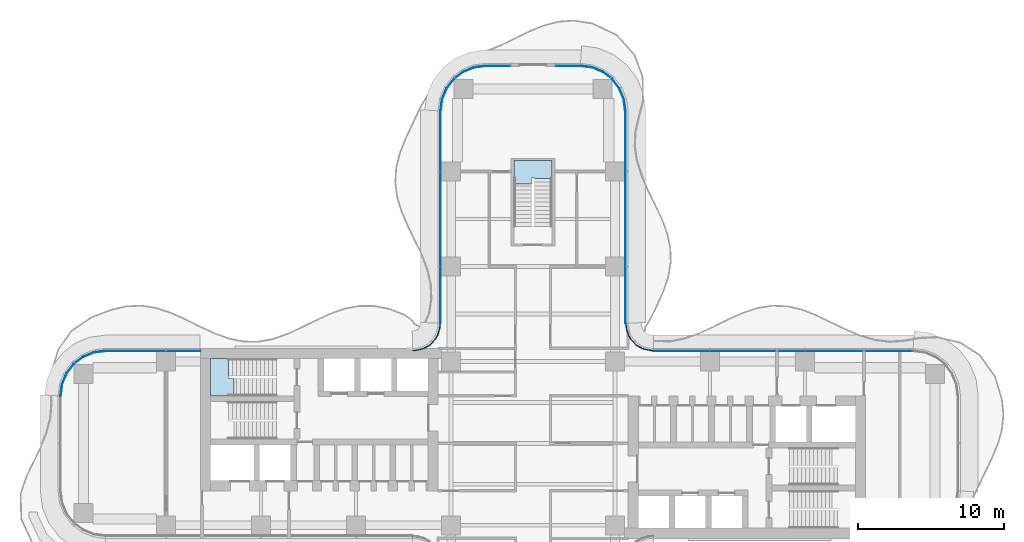
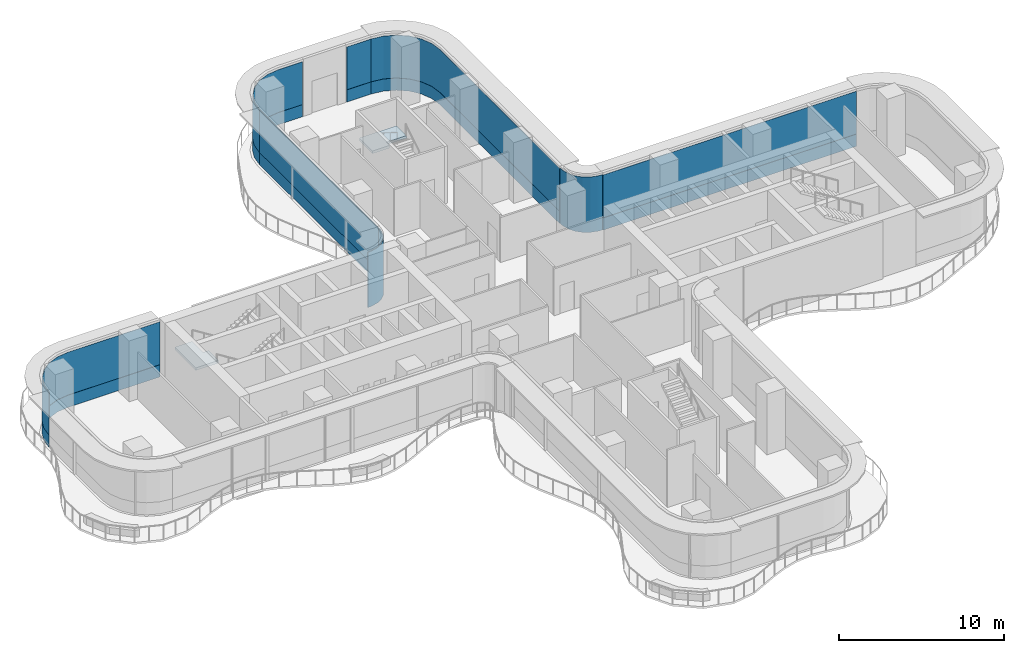
# One storey, part 16 of 23: 14 plates, 2 slabs, 10 elements without a shape of their own.
"""IFC4 building model written with IfcOpenShell, lengths in metres."""

from ifc_helpers import new_model, si_unit, direction, frame, origin, place, context, subcontext, project, spatial, polyline, outline, extrude, source, transform, mapped, material, layer, layer_set, type_object, element, aggregate, save


model = new_model("IFC4")

# Units and contexts
model_context = context("Model", 3, precision=1e-05, world=origin(), true_north=direction((0.0, 1.0)))
body_context = subcontext(model_context, "Body", "Model", "MODEL_VIEW")
ifc_project = project(units=[si_unit("LENGTHUNIT", "METRE"), si_unit("AREAUNIT", "SQUARE_METRE"), si_unit("VOLUMEUNIT", "CUBIC_METRE"), si_unit("PLANEANGLEUNIT", "RADIAN"), si_unit("MASSUNIT", "GRAM", prefix="KILO")], contexts=[model_context])

# Site, building, storey
site_placement = place(None, origin())
site = spatial("IfcSite", under=ifc_project, at=site_placement, CompositionType="ELEMENT")
building_placement = place(site_placement, origin())
building = spatial("IfcBuilding", under=site, at=building_placement, Name="Trellis Farm Tower", CompositionType="ELEMENT")
storey_placement = place(building_placement, frame((0.0, 0.0, 111.0)))
storey = spatial("IfcBuildingStorey", under=building, at=storey_placement, Name="L23", CompositionType="ELEMENT", Elevation=111.0)

# Stair, slab
ifc_material_1 = material(Name="Concrete C50/60", Category="concrete")
stair_type = type_object("IfcStairType", Name="CORE EXIT STAIR 26 RISERS 173 MM", PredefinedType="HALF_TURN_STAIR", material=ifc_material_1)
placement_1 = place(storey_placement, origin())
stair_1 = element("IfcStair", 1, at=placement_1, inside=storey, type_object=stair_type, Name="Exit stair N", PredefinedType="HALF_TURN_STAIR")
ifc_layer_1 = layer(ifc_material_1, 0.18994140625)
ifc_layer_set_1 = layer_set([ifc_layer_1], Name="CORE STAIR LANDING 190 CONCRETE C50/60")
slab_type = type_object("IfcSlabType", Name="CORE STAIR LANDING 190 CONCRETE C50/60", PredefinedType="LANDING", material=ifc_layer_set_1)
shared_shape_1 = source(origin(), body_context, "Body", "SweptSolid", [
    extrude(outline(polyline([(-0.10009765625, 17.753173828125), (-1.300048828125, 17.753173828125), (-1.300048828125, 18.14990234375), (-1.300048828125, 19.35009765625), (1.300048828125, 19.35009765625), (1.300048828125, 18.14990234375), (1.300048828125, 18.139892578125), (0.10009765625, 18.139892578125), (0.10009765625, 18.14990234375), (-0.10009765625, 18.14990234375), (-0.10009765625, 17.753173828125)])), origin(), (0.0, 0.0, 1.0), 0.18994140625),
])
placement_2 = place(storey_placement, frame((0.0, 0.0, 2.06005859375)))
slab_1 = element("IfcSlab", 2, at=placement_2, type_object=slab_type, Name="STN landing 1", PredefinedType="LANDING", context=body_context, shape_type="MappedRepresentation", body=[
    mapped(shared_shape_1, transform((0.0, 0.0, 0.0))),
])
aggregate(stair_1, [slab_1])

stair_2 = element("IfcStair", 3, at=placement_1, inside=storey, type_object=stair_type, Name="Exit stair W1", PredefinedType="HALF_TURN_STAIR")
shared_shape_2 = source(origin(), body_context, "Body", "SweptSolid", [
    extrude(outline(polyline([(-20.453125, 4.449951171875), (-20.453125, 3.25), (-20.85009765625, 3.25), (-22.050048828125, 3.25), (-22.050048828125, 5.800048828125), (-20.85009765625, 5.800048828125), (-20.840087890625, 5.800048828125), (-20.840087890625, 4.60009765625), (-20.85009765625, 4.60009765625), (-20.85009765625, 4.449951171875), (-20.453125, 4.449951171875)])), origin(), (0.0, 0.0, 1.0), 0.18994140625),
])
slab_2 = element("IfcSlab", 4, at=placement_2, type_object=slab_type, Name="STW1 landing 1", PredefinedType="LANDING", context=body_context, shape_type="MappedRepresentation", body=[
    mapped(shared_shape_2, transform((0.0, 0.0, 0.0))),
])
aggregate(stair_2, [slab_2])

# Curtain wall, plate
ifc_material_2 = material(Name="Aluminium and glass curtain wall", Category="aluminium")
ifc_layer_2 = layer(ifc_material_2, 0.166015625)
ifc_layer_set_2 = layer_set([ifc_layer_2], Name="WINTER GARDEN CURTAIN WALL CW3")
curtain_wall_type_1 = type_object("IfcCurtainWallType", Name="WINTER GARDEN CURTAIN WALL CW3", PredefinedType="NOTDEFINED", material=ifc_layer_set_2)
curtain_wall_1 = element("IfcCurtainWall", 5, at=placement_1, inside=storey, type_object=curtain_wall_type_1, Name="CW3 003", PredefinedType="NOTDEFINED")
ifc_material_3 = material(Name="Clear insulated glass", Category="glass")
ifc_layer_3 = layer(ifc_material_3, 0.0458984375)
ifc_layer_set_3 = layer_set([ifc_layer_3], Name="CW3 GLASS PANEL 46")
plate_type_1 = type_object("IfcPlateType", Name="CW3 GLASS PANEL 46", PredefinedType="CURTAIN_PANEL", material=ifc_layer_set_3)
shared_shape_3 = source(origin(), body_context, "Body", "SweptSolid", [
    extrude(outline(polyline([(8.2275390625, 6.3798828125), (8.0078125, 6.394287109375), (7.89208984375, 6.40966796875), (7.462158203125, 6.52490234375), (7.070556640625, 6.7509765625), (6.7509765625, 7.070556640625), (6.52490234375, 7.462158203125), (6.40966796875, 7.89208984375), (6.394287109375, 8.0078125), (6.3798828125, 8.2275390625), (6.333984375, 8.22607421875), (6.3486328125, 8.003173828125), (6.364501953125, 7.883056640625), (6.48193359375, 7.4443359375), (6.714111328125, 7.04248046875), (7.04248046875, 6.714111328125), (7.4443359375, 6.48193359375), (7.883056640625, 6.364501953125), (8.003173828125, 6.3486328125), (8.22607421875, 6.333984375), (8.2275390625, 6.3798828125)])), origin(), (0.0, 0.0, 1.0), 4.10009765625),
])
plate_1 = element("IfcPlate", 6, at=placement_1, type_object=plate_type_1, Name="PL3 003", PredefinedType="CURTAIN_PANEL", context=body_context, shape_type="MappedRepresentation", body=[
    mapped(shared_shape_3, transform((0.0, 0.0, 0.0))),
])
aggregate(curtain_wall_1, [plate_1])

curtain_wall_2 = element("IfcCurtainWall", 7, at=placement_1, inside=storey, type_object=curtain_wall_type_1, Name="CW3 004", PredefinedType="NOTDEFINED")
shared_shape_4 = source(origin(), body_context, "Body", "SweptSolid", [
    extrude(outline(polyline([(-6.3798828125, 8.2275390625), (-6.394287109375, 8.0078125), (-6.40966796875, 7.89208984375), (-6.52490234375, 7.462158203125), (-6.7509765625, 7.070556640625), (-7.070556640625, 6.7509765625), (-7.462158203125, 6.52490234375), (-7.89208984375, 6.40966796875), (-8.0078125, 6.394287109375), (-8.2275390625, 6.3798828125), (-8.22607421875, 6.333984375), (-8.003173828125, 6.3486328125), (-7.883056640625, 6.364501953125), (-7.4443359375, 6.48193359375), (-7.04248046875, 6.714111328125), (-6.714111328125, 7.04248046875), (-6.48193359375, 7.4443359375), (-6.364501953125, 7.883056640625), (-6.3486328125, 8.003173828125), (-6.333984375, 8.22607421875), (-6.3798828125, 8.2275390625)])), origin(), (0.0, 0.0, 1.0), 4.10009765625),
])
plate_2 = element("IfcPlate", 8, at=placement_1, type_object=plate_type_1, Name="PL3 004", PredefinedType="CURTAIN_PANEL", context=body_context, shape_type="MappedRepresentation", body=[
    mapped(shared_shape_4, transform((0.0, 0.0, 0.0))),
])
aggregate(curtain_wall_2, [plate_2])

# Curtain wall, plates
ifc_layer_4 = layer(ifc_material_2, 0.18994140625)
ifc_layer_set_4 = layer_set([ifc_layer_4], Name="RIBBON CURTAIN WALL CW1")
curtain_wall_type_2 = type_object("IfcCurtainWallType", Name="RIBBON CURTAIN WALL CW1", PredefinedType="NOTDEFINED", material=ifc_layer_set_4)
curtain_wall_3 = element("IfcCurtainWall", 9, at=placement_1, inside=storey, type_object=curtain_wall_type_2, Name="CW1 013", PredefinedType="NOTDEFINED")
ifc_layer_5 = layer(ifc_material_3, 0.0400390625)
ifc_layer_set_5 = layer_set([ifc_layer_5], Name="CW1 GLASS PANEL 40")
plate_type_2 = type_object("IfcPlateType", Name="CW1 GLASS PANEL 40", PredefinedType="CURTAIN_PANEL", material=ifc_layer_set_5)
shared_shape_5 = source(origin(), body_context, "Body", "SweptSolid", [
    extrude(outline(polyline([(-22.780029296875, 6.35009765625), (-29.240234375, 6.35009765625), (-30.052001953125, 6.2431640625), (-30.79931640625, 5.93359375), (-31.441162109375, 5.441162109375), (-31.93359375, 4.79931640625), (-32.2431640625, 4.052001953125), (-32.35009765625, 3.240234375), (-32.31005859375, 3.237548828125), (-32.2041015625, 4.04150390625), (-31.898681640625, 4.779296875), (-31.41259765625, 5.41259765625), (-30.779296875, 5.898681640625), (-30.04150390625, 6.2041015625), (-29.237548828125, 6.31005859375), (-22.780029296875, 6.31005859375), (-22.780029296875, 6.35009765625)])), origin(), (0.0, 0.0, 1.0), 3.170166015625),
])
placement_3 = place(storey_placement, frame((0.0, 0.0, 0.89990234375)))
plate_3 = element("IfcPlate", 10, at=placement_3, type_object=plate_type_2, Name="PL1 013", PredefinedType="CURTAIN_PANEL", context=body_context, shape_type="MappedRepresentation", body=[
    mapped(shared_shape_5, transform((0.0, 0.0, 0.0))),
])
ifc_material_4 = material(Name="Sandstone faced insulated panel", Category="masonry")
ifc_layer_6 = layer(ifc_material_4, 0.050048828125)
ifc_layer_set_6 = layer_set([ifc_layer_6], Name="CW1 STONE SPANDREL PANEL 50")
plate_type_3 = type_object("IfcPlateType", Name="CW1 STONE SPANDREL PANEL 50", PredefinedType="CURTAIN_PANEL", material=ifc_layer_set_6)
shared_shape_6 = source(origin(), body_context, "Body", "SweptSolid", [
    extrude(outline(polyline([(-22.780029296875, 6.35009765625), (-29.240234375, 6.35009765625), (-30.052001953125, 6.2431640625), (-30.79931640625, 5.93359375), (-31.441162109375, 5.441162109375), (-31.93359375, 4.79931640625), (-32.2431640625, 4.052001953125), (-32.35009765625, 3.240234375), (-32.300048828125, 3.23681640625), (-32.1943359375, 4.0390625), (-31.889892578125, 4.774169921875), (-31.405517578125, 5.405517578125), (-30.774169921875, 5.889892578125), (-30.0390625, 6.1943359375), (-29.23681640625, 6.300048828125), (-22.780029296875, 6.300048828125), (-22.780029296875, 6.35009765625)])), origin(), (0.0, 0.0, 1.0), 0.89990234375),
])
plate_4 = element("IfcPlate", 11, at=placement_1, type_object=plate_type_3, Name="PS1 013", PredefinedType="CURTAIN_PANEL", context=body_context, shape_type="MappedRepresentation", body=[
    mapped(shared_shape_6, transform((0.0, 0.0, 0.0))),
])
aggregate(curtain_wall_3, [plate_3, plate_4])

curtain_wall_4 = element("IfcCurtainWall", 12, at=placement_1, inside=storey, type_object=curtain_wall_type_2, Name="CW1 009", PredefinedType="NOTDEFINED")
shared_shape_7 = source(origin(), body_context, "Body", "SweptSolid", [
    extrude(outline(polyline([(6.35009765625, 8.2265625), (6.35009765625, 22.740234375), (6.2431640625, 23.552001953125), (5.93359375, 24.29931640625), (5.441162109375, 24.941162109375), (4.79931640625, 25.43359375), (4.052001953125, 25.7431640625), (3.240234375, 25.85009765625), (3.237548828125, 25.81005859375), (4.04150390625, 25.7041015625), (4.779296875, 25.398681640625), (5.41259765625, 24.91259765625), (5.898681640625, 24.279296875), (6.2041015625, 23.54150390625), (6.31005859375, 22.737548828125), (6.31005859375, 8.22509765625), (6.35009765625, 8.2265625)])), origin(), (0.0, 0.0, 1.0), 3.170166015625),
])
plate_5 = element("IfcPlate", 13, at=placement_3, type_object=plate_type_2, Name="PL1 009", PredefinedType="CURTAIN_PANEL", context=body_context, shape_type="MappedRepresentation", body=[
    mapped(shared_shape_7, transform((0.0, 0.0, 0.0))),
])
shared_shape_8 = source(origin(), body_context, "Body", "SweptSolid", [
    extrude(outline(polyline([(6.35009765625, 8.2265625), (6.35009765625, 22.740234375), (6.2431640625, 23.552001953125), (5.93359375, 24.29931640625), (5.441162109375, 24.941162109375), (4.79931640625, 25.43359375), (4.052001953125, 25.7431640625), (3.240234375, 25.85009765625), (3.23681640625, 25.800048828125), (4.0390625, 25.6943359375), (4.774169921875, 25.389892578125), (5.405517578125, 24.905517578125), (5.889892578125, 24.274169921875), (6.1943359375, 23.5390625), (6.300048828125, 22.73681640625), (6.300048828125, 8.224853515625), (6.35009765625, 8.2265625)])), origin(), (0.0, 0.0, 1.0), 0.89990234375),
])
plate_6 = element("IfcPlate", 14, at=placement_1, type_object=plate_type_3, Name="PS1 009", PredefinedType="CURTAIN_PANEL", context=body_context, shape_type="MappedRepresentation", body=[
    mapped(shared_shape_8, transform((0.0, 0.0, 0.0))),
])
aggregate(curtain_wall_4, [plate_5, plate_6])

curtain_wall_5 = element("IfcCurtainWall", 15, at=placement_1, inside=storey, type_object=curtain_wall_type_2, Name="CW1 012", PredefinedType="NOTDEFINED")
shared_shape_9 = source(origin(), body_context, "Body", "SweptSolid", [
    extrude(outline(polyline([(-6.35009765625, 22.740234375), (-6.35009765625, 8.2265625), (-6.31005859375, 8.22509765625), (-6.31005859375, 22.737548828125), (-6.35009765625, 22.740234375)])), origin(), (0.0, 0.0, 1.0), 3.170166015625),
])
plate_7 = element("IfcPlate", 16, at=placement_3, type_object=plate_type_2, Name="PL1 012", PredefinedType="CURTAIN_PANEL", context=body_context, shape_type="MappedRepresentation", body=[
    mapped(shared_shape_9, transform((0.0, 0.0, 0.0))),
])
shared_shape_10 = source(origin(), body_context, "Body", "SweptSolid", [
    extrude(outline(polyline([(-6.35009765625, 22.740234375), (-6.35009765625, 8.2265625), (-6.300048828125, 8.224853515625), (-6.300048828125, 22.73681640625), (-6.35009765625, 22.740234375)])), origin(), (0.0, 0.0, 1.0), 0.89990234375),
])
plate_8 = element("IfcPlate", 17, at=placement_1, type_object=plate_type_3, Name="PS1 012", PredefinedType="CURTAIN_PANEL", context=body_context, shape_type="MappedRepresentation", body=[
    mapped(shared_shape_10, transform((0.0, 0.0, 0.0))),
])
aggregate(curtain_wall_5, [plate_7, plate_8])

curtain_wall_6 = element("IfcCurtainWall", 18, at=placement_1, inside=storey, type_object=curtain_wall_type_2, Name="CW1 010", PredefinedType="NOTDEFINED")
shared_shape_11 = source(origin(), body_context, "Body", "SweptSolid", [
    extrude(outline(polyline([(3.240234375, 25.85009765625), (1.56005859375, 25.85009765625), (1.56005859375, 25.81005859375), (3.237548828125, 25.81005859375), (3.240234375, 25.85009765625)])), origin(), (0.0, 0.0, 1.0), 3.170166015625),
])
plate_9 = element("IfcPlate", 19, at=placement_3, type_object=plate_type_2, Name="PL1 010", PredefinedType="CURTAIN_PANEL", context=body_context, shape_type="MappedRepresentation", body=[
    mapped(shared_shape_11, transform((0.0, 0.0, 0.0))),
])
shared_shape_12 = source(origin(), body_context, "Body", "SweptSolid", [
    extrude(outline(polyline([(3.240234375, 25.85009765625), (1.56005859375, 25.85009765625), (1.56005859375, 25.800048828125), (3.23681640625, 25.800048828125), (3.240234375, 25.85009765625)])), origin(), (0.0, 0.0, 1.0), 0.89990234375),
])
plate_10 = element("IfcPlate", 20, at=placement_1, type_object=plate_type_3, Name="PS1 010", PredefinedType="CURTAIN_PANEL", context=body_context, shape_type="MappedRepresentation", body=[
    mapped(shared_shape_12, transform((0.0, 0.0, 0.0))),
])
aggregate(curtain_wall_6, [plate_9, plate_10])

curtain_wall_7 = element("IfcCurtainWall", 21, at=placement_1, inside=storey, type_object=curtain_wall_type_2, Name="CW1 011", PredefinedType="NOTDEFINED")
shared_shape_13 = source(origin(), body_context, "Body", "SweptSolid", [
    extrude(outline(polyline([(-1.56005859375, 25.85009765625), (-3.240234375, 25.85009765625), (-4.052001953125, 25.7431640625), (-4.79931640625, 25.43359375), (-5.441162109375, 24.941162109375), (-5.93359375, 24.29931640625), (-6.2431640625, 23.552001953125), (-6.35009765625, 22.740234375), (-6.31005859375, 22.737548828125), (-6.2041015625, 23.54150390625), (-5.898681640625, 24.279296875), (-5.41259765625, 24.91259765625), (-4.779296875, 25.398681640625), (-4.04150390625, 25.7041015625), (-3.237548828125, 25.81005859375), (-1.56005859375, 25.81005859375), (-1.56005859375, 25.85009765625)])), origin(), (0.0, 0.0, 1.0), 3.170166015625),
])
plate_11 = element("IfcPlate", 22, at=placement_3, type_object=plate_type_2, Name="PL1 011", PredefinedType="CURTAIN_PANEL", context=body_context, shape_type="MappedRepresentation", body=[
    mapped(shared_shape_13, transform((0.0, 0.0, 0.0))),
])
shared_shape_14 = source(origin(), body_context, "Body", "SweptSolid", [
    extrude(outline(polyline([(-1.56005859375, 25.85009765625), (-3.240234375, 25.85009765625), (-4.052001953125, 25.7431640625), (-4.79931640625, 25.43359375), (-5.441162109375, 24.941162109375), (-5.93359375, 24.29931640625), (-6.2431640625, 23.552001953125), (-6.35009765625, 22.740234375), (-6.300048828125, 22.73681640625), (-6.1943359375, 23.5390625), (-5.889892578125, 24.274169921875), (-5.405517578125, 24.905517578125), (-4.774169921875, 25.389892578125), (-4.0390625, 25.6943359375), (-3.23681640625, 25.800048828125), (-1.56005859375, 25.800048828125), (-1.56005859375, 25.85009765625)])), origin(), (0.0, 0.0, 1.0), 0.89990234375),
])
plate_12 = element("IfcPlate", 23, at=placement_1, type_object=plate_type_3, Name="PS1 011", PredefinedType="CURTAIN_PANEL", context=body_context, shape_type="MappedRepresentation", body=[
    mapped(shared_shape_14, transform((0.0, 0.0, 0.0))),
])
aggregate(curtain_wall_7, [plate_11, plate_12])

curtain_wall_8 = element("IfcCurtainWall", 24, at=placement_1, inside=storey, type_object=curtain_wall_type_2, Name="CW1 008", PredefinedType="NOTDEFINED")
shared_shape_15 = source(origin(), body_context, "Body", "SweptSolid", [
    extrude(outline(polyline([(25.990234375, 6.35009765625), (8.2265625, 6.35009765625), (8.22509765625, 6.31005859375), (25.987548828125, 6.31005859375), (25.990234375, 6.35009765625)])), origin(), (0.0, 0.0, 1.0), 3.170166015625),
])
plate_13 = element("IfcPlate", 25, at=placement_3, type_object=plate_type_2, Name="PL1 008", PredefinedType="CURTAIN_PANEL", context=body_context, shape_type="MappedRepresentation", body=[
    mapped(shared_shape_15, transform((0.0, 0.0, 0.0))),
])
shared_shape_16 = source(origin(), body_context, "Body", "SweptSolid", [
    extrude(outline(polyline([(25.990234375, 6.35009765625), (8.2265625, 6.35009765625), (8.224853515625, 6.300048828125), (25.98681640625, 6.300048828125), (25.990234375, 6.35009765625)])), origin(), (0.0, 0.0, 1.0), 0.89990234375),
])
plate_14 = element("IfcPlate", 26, at=placement_1, type_object=plate_type_3, Name="PS1 008", PredefinedType="CURTAIN_PANEL", context=body_context, shape_type="MappedRepresentation", body=[
    mapped(shared_shape_16, transform((0.0, 0.0, 0.0))),
])
aggregate(curtain_wall_8, [plate_13, plate_14])

save(model, "model.ifc")
